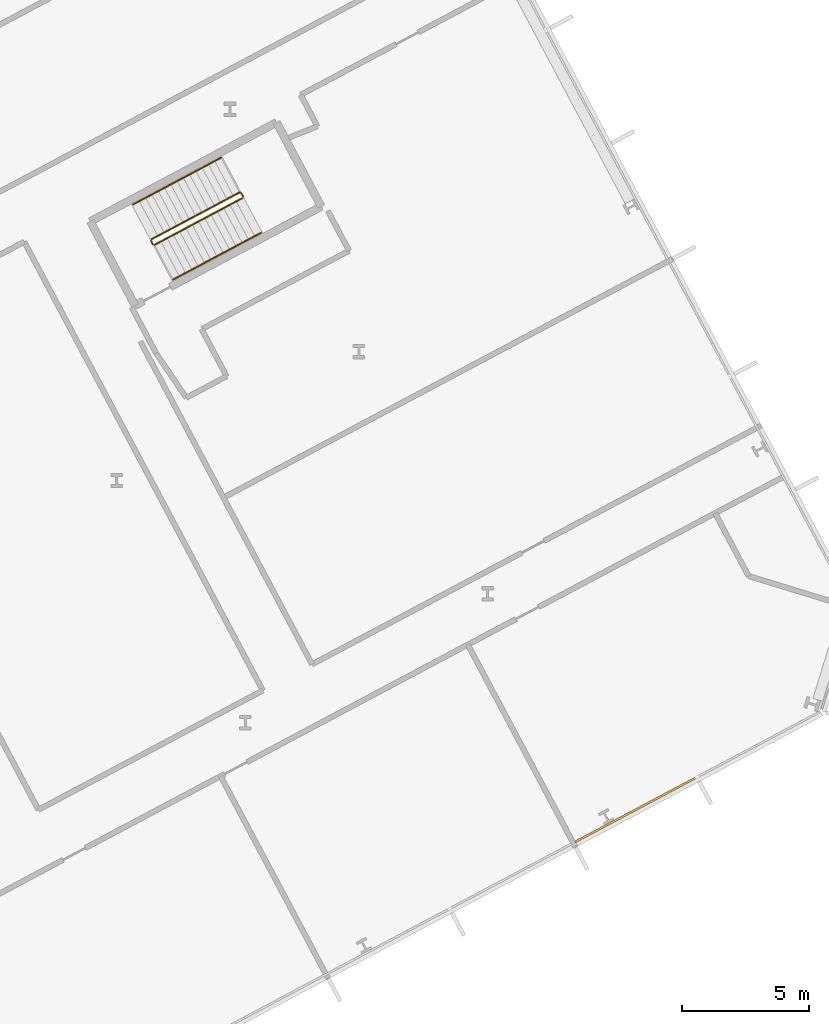
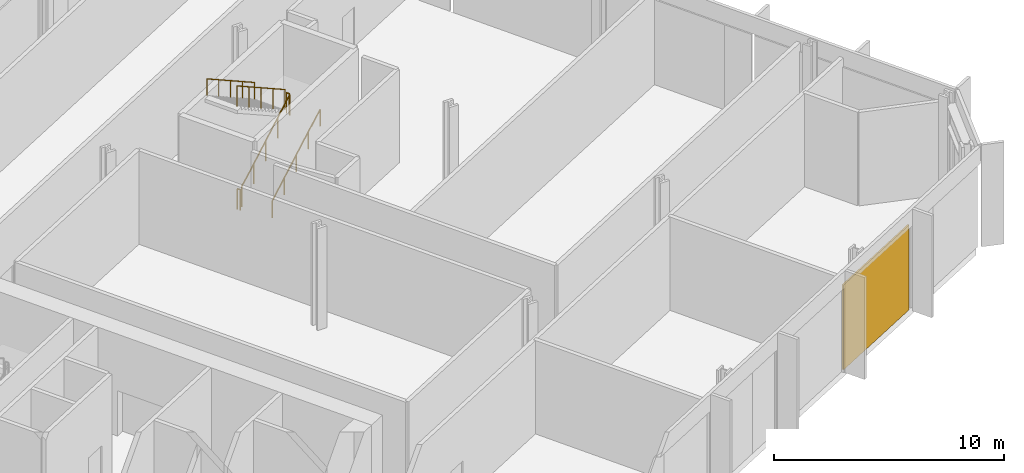
# One storey, part 30 of 32: 6 railings, 1 covering, 1 element without a shape of its own.
"""IFC4 building model written with IfcOpenShell, lengths in metres."""

from ifc_helpers import new_model, si_unit, direction, frame, origin, origin_2d, place, context, subcontext, project, spatial, polyline, rectangle, outline, extrude, material, layer, layer_set, type_object, element, aggregate, save


model = new_model("IFC4")

# Units and contexts
model_context = context("Model", 3, precision=1e-05, world=origin(), true_north=direction((0.0, 1.0)))
body_context = subcontext(model_context, "Body", "Model", "MODEL_VIEW")
ifc_project = project(units=[si_unit("LENGTHUNIT", "METRE"), si_unit("AREAUNIT", "SQUARE_METRE"), si_unit("VOLUMEUNIT", "CUBIC_METRE"), si_unit("PLANEANGLEUNIT", "RADIAN"), si_unit("MASSUNIT", "GRAM", prefix="KILO")], contexts=[model_context])

# Site, building, storey
site_placement = place(None, origin())
site = spatial("IfcSite", under=ifc_project, at=site_placement, CompositionType="ELEMENT")
building_placement = place(site_placement, origin())
building = spatial("IfcBuilding", under=site, at=building_placement, Name="Cormorant Relay Tower", CompositionType="ELEMENT")
storey_placement = place(building_placement, frame((0.0, 0.0, 39.199951171875)))
storey = spatial("IfcBuildingStorey", under=building, at=storey_placement, Name="L07", CompositionType="ELEMENT", Elevation=39.199951171875)

# Curtain wall, covering
ifc_material_1 = material(Name="Aluminium 6063-T6 anodised bronze", Category="aluminium")
ifc_layer_1 = layer(ifc_material_1, 0.235107421875)
ifc_layer_set_1 = layer_set([ifc_layer_1], Name="CW6 data hall curtain wall with mineral wool panels")
curtain_wall_type = type_object("IfcCurtainWallType", Name="CW6 data hall curtain wall with mineral wool panels", PredefinedType="NOTDEFINED", material=ifc_layer_set_1)
curtain_wall_placement = place(storey_placement, origin())
curtain_wall = element("IfcCurtainWall", 1, at=curtain_wall_placement, inside=storey, type_object=curtain_wall_type, Name="CW6 curtain wall 2", PredefinedType="NOTDEFINED")
ifc_material_2 = material(Name="Mineral wool cored anodised bronze aluminium cassette panel", Category="aluminium")
ifc_layer_2 = layer(ifc_material_2, 0.074951171875)
ifc_layer_set_2 = layer_set([ifc_layer_2], Name="CW6 mineral wool cassette panel 75")
covering_type = type_object("IfcCoveringType", Name="CW6 mineral wool cassette panel 75", PredefinedType="CLADDING", material=ifc_layer_set_2)
covering_placement = place(storey_placement, frame((63.5, 9.93701171875, 0.0), z_axis=(0.0, 0.0, 1.0), x_axis=(0.882947592859, 0.469471562786, 0.0)))
covering = element("IfcCovering", 2, at=covering_placement, type_object=covering_type, Name="CW6 panel S13", PredefinedType="CLADDING", context=body_context, shape_type="SweptSolid", body=[
    extrude(rectangle(XDim=5.36181640625, YDim=0.074951171875, at=origin_2d()), origin(), (0.0, 0.0, 1.0), 4.5),
])
aggregate(curtain_wall, [covering])

# Railings
ifc_material_3 = material(Name="Steel ASTM A572 Grade 50 (Fy 345 MPa)", Category="steel")
railing_type_1 = type_object("IfcRailingType", Name="Stair guard 1100", PredefinedType="GUARDRAIL", material=ifc_material_3)
railing_1_placement = place(storey_placement, frame((44.583740234375, 32.186279296875, 0.179931640625)))
element("IfcRailing", 3, at=railing_1_placement, inside=storey, type_object=railing_type_1, Name="L07 RB1 stair guard 1", PredefinedType="GUARDRAIL", context=body_context, shape_type="SweptSolid", body=[
    extrude(outline(polyline([(0.022216796875, 0.00927734375), (0.00927734375, 0.022216796875), (-0.00927734375, 0.022216796875), (-0.022216796875, 0.00927734375), (-0.022216796875, -0.00927734375), (-0.00927734375, -0.022216796875), (0.00927734375, -0.022216796875), (0.022216796875, -0.00927734375), (0.022216796875, 0.00927734375)])), frame((0.0, 0.0, 1.076171875), z_axis=(0.74271721126, 0.394907409077, 0.540758062681), x_axis=(-0.469469396681, 0.882948744594, 0.0)), (0.0, 0.0, 1.0), 4.66015625),
    extrude(outline(polyline([(0.019287109375, 0.008056640625), (0.008056640625, 0.019287109375), (-0.008056640625, 0.019287109375), (-0.019287109375, 0.008056640625), (-0.019287109375, -0.008056640625), (-0.008056640625, -0.019287109375), (0.008056640625, -0.019287109375), (0.019287109375, -0.008056640625), (0.019287109375, 0.008056640625)])), origin(), (0.0, 0.0, 1.0), 1.052001953125),
    extrude(outline(polyline([(0.019287109375, 0.008056640625), (0.008056640625, 0.019287109375), (-0.008056640625, 0.019287109375), (-0.019287109375, 0.008056640625), (-0.019287109375, -0.008056640625), (-0.008056640625, -0.019287109375), (0.008056640625, -0.019287109375), (0.019287109375, -0.008056640625), (0.019287109375, 0.008056640625)])), frame((0.865234375, 0.4599609375, 0.6298828125)), (0.0, 0.0, 1.0), 1.052001953125),
    extrude(outline(polyline([(0.019287109375, 0.008056640625), (0.008056640625, 0.019287109375), (-0.008056640625, 0.019287109375), (-0.019287109375, 0.008056640625), (-0.019287109375, -0.008056640625), (-0.008056640625, -0.019287109375), (0.008056640625, -0.019287109375), (0.019287109375, -0.008056640625), (0.019287109375, 0.008056640625)])), frame((1.73046875, 0.920166015625, 1.260009765625)), (0.0, 0.0, 1.0), 1.052001953125),
    extrude(outline(polyline([(0.019287109375, 0.008056640625), (0.008056640625, 0.019287109375), (-0.008056640625, 0.019287109375), (-0.019287109375, 0.008056640625), (-0.019287109375, -0.008056640625), (-0.008056640625, -0.019287109375), (0.008056640625, -0.019287109375), (0.019287109375, -0.008056640625), (0.019287109375, 0.008056640625)])), frame((2.595947265625, 1.38037109375, 1.89013671875)), (0.0, 0.0, 1.0), 1.052001953125),
    extrude(outline(polyline([(0.019287109375, 0.008056640625), (0.008056640625, 0.019287109375), (-0.008056640625, 0.019287109375), (-0.019287109375, 0.008056640625), (-0.019287109375, -0.008056640625), (-0.008056640625, -0.019287109375), (0.008056640625, -0.019287109375), (0.019287109375, -0.008056640625), (0.019287109375, 0.008056640625)])), frame((3.461181640625, 1.84033203125, 2.52001953125)), (0.0, 0.0, 1.0), 1.052001953125),
])
railing_2_placement = place(storey_placement, frame((48.065673828125, 34.09423828125, 2.699951171875)))
element("IfcRailing", 4, at=railing_2_placement, inside=storey, type_object=railing_type_1, Name="L07 RB1 stair guard 2", PredefinedType="GUARDRAIL", context=body_context, shape_type="SweptSolid", body=[
    extrude(outline(polyline([(0.022216796875, 0.00927734375), (0.00927734375, 0.022216796875), (-0.00927734375, 0.022216796875), (-0.022216796875, 0.00927734375), (-0.022216796875, -0.00927734375), (-0.00927734375, -0.022216796875), (0.00927734375, -0.022216796875), (0.022216796875, -0.00927734375), (0.022216796875, 0.00927734375)])), frame((0.0, 0.0, 1.076171875), z_axis=(-0.469828648786, 0.882757634224, 0.0), x_axis=(-0.882757634224, -0.469828648786, 0.0)), (0.0, 0.0, 1.0), 0.150146484375),
    extrude(outline(polyline([(0.019287109375, 0.008056640625), (0.008056640625, 0.019287109375), (-0.008056640625, 0.019287109375), (-0.019287109375, 0.008056640625), (-0.019287109375, -0.008056640625), (-0.008056640625, -0.019287109375), (0.008056640625, -0.019287109375), (0.019287109375, -0.008056640625), (0.019287109375, 0.008056640625)])), origin(), (0.0, 0.0, 1.0), 1.052001953125),
    extrude(outline(polyline([(0.019287109375, 0.008056640625), (0.008056640625, 0.019287109375), (-0.008056640625, 0.019287109375), (-0.019287109375, 0.008056640625), (-0.019287109375, -0.008056640625), (-0.008056640625, -0.019287109375), (0.008056640625, -0.019287109375), (0.019287109375, -0.008056640625), (0.019287109375, 0.008056640625)])), frame((-0.070556640625, 0.132568359375, 0.0)), (0.0, 0.0, 1.0), 1.052001953125),
])
railing_3_placement = place(storey_placement, frame((47.927490234375, 34.24755859375, 2.880126953125)))
element("IfcRailing", 5, at=railing_3_placement, inside=storey, type_object=railing_type_1, Name="L07 RB1 stair guard 3", PredefinedType="GUARDRAIL", context=body_context, shape_type="SweptSolid", body=[
    extrude(outline(polyline([(0.022216796875, 0.00927734375), (0.00927734375, 0.022216796875), (-0.00927734375, 0.022216796875), (-0.022216796875, 0.00927734375), (-0.022216796875, -0.00927734375), (-0.00927734375, -0.022216796875), (0.00927734375, -0.022216796875), (0.022216796875, -0.00927734375), (0.022216796875, 0.00927734375)])), frame((0.0, 0.0, 1.076171875), z_axis=(-0.74271721126, -0.394907409077, 0.540758062681), x_axis=(0.469469396681, -0.882948744594, 0.0)), (0.0, 0.0, 1.0), 4.66015625),
    extrude(outline(polyline([(0.019287109375, 0.008056640625), (0.008056640625, 0.019287109375), (-0.008056640625, 0.019287109375), (-0.019287109375, 0.008056640625), (-0.019287109375, -0.008056640625), (-0.008056640625, -0.019287109375), (0.008056640625, -0.019287109375), (0.019287109375, -0.008056640625), (0.019287109375, 0.008056640625)])), origin(), (0.0, 0.0, 1.0), 1.052001953125),
    extrude(outline(polyline([(0.019287109375, 0.008056640625), (0.008056640625, 0.019287109375), (-0.008056640625, 0.019287109375), (-0.019287109375, 0.008056640625), (-0.019287109375, -0.008056640625), (-0.008056640625, -0.019287109375), (0.008056640625, -0.019287109375), (0.019287109375, -0.008056640625), (0.019287109375, 0.008056640625)])), frame((-0.865234375, -0.4599609375, 0.6298828125)), (0.0, 0.0, 1.0), 1.052001953125),
    extrude(outline(polyline([(0.019287109375, 0.008056640625), (0.008056640625, 0.019287109375), (-0.008056640625, 0.019287109375), (-0.019287109375, 0.008056640625), (-0.019287109375, -0.008056640625), (-0.008056640625, -0.019287109375), (0.008056640625, -0.019287109375), (0.019287109375, -0.008056640625), (0.019287109375, 0.008056640625)])), frame((-1.73046875, -0.920166015625, 1.260009765625)), (0.0, 0.0, 1.0), 1.052001953125),
    extrude(outline(polyline([(0.019287109375, 0.008056640625), (0.008056640625, 0.019287109375), (-0.008056640625, 0.019287109375), (-0.019287109375, 0.008056640625), (-0.019287109375, -0.008056640625), (-0.008056640625, -0.019287109375), (0.008056640625, -0.019287109375), (0.019287109375, -0.008056640625), (0.019287109375, 0.008056640625)])), frame((-2.595947265625, -1.38037109375, 1.89013671875)), (0.0, 0.0, 1.0), 1.052001953125),
    extrude(outline(polyline([(0.019287109375, 0.008056640625), (0.008056640625, 0.019287109375), (-0.008056640625, 0.019287109375), (-0.019287109375, 0.008056640625), (-0.019287109375, -0.008056640625), (-0.008056640625, -0.019287109375), (0.008056640625, -0.019287109375), (0.019287109375, -0.008056640625), (0.019287109375, 0.008056640625)])), frame((-3.461181640625, -1.84033203125, 2.52001953125)), (0.0, 0.0, 1.0), 1.052001953125),
])
railing_4_placement = place(storey_placement, frame((44.51611328125, 32.20703125, 0.0)))
element("IfcRailing", 6, at=railing_4_placement, inside=storey, type_object=railing_type_1, Name="L07 RB1 stair guard 4", PredefinedType="GUARDRAIL", context=body_context, shape_type="SweptSolid", body=[
    extrude(outline(polyline([(0.022216796875, 0.00927734375), (0.00927734375, 0.022216796875), (-0.00927734375, 0.022216796875), (-0.022216796875, 0.00927734375), (-0.022216796875, -0.00927734375), (-0.00927734375, -0.022216796875), (0.00927734375, -0.022216796875), (0.022216796875, -0.00927734375), (0.022216796875, 0.00927734375)])), frame((0.0, 0.0, 1.076171875), z_axis=(-0.46856034887, 0.8834314911, 0.0), x_axis=(-0.8834314911, -0.46856034887, 0.0)), (0.0, 0.0, 1.0), 0.150146484375),
    extrude(outline(polyline([(0.019287109375, 0.008056640625), (0.008056640625, 0.019287109375), (-0.008056640625, 0.019287109375), (-0.019287109375, 0.008056640625), (-0.019287109375, -0.008056640625), (-0.008056640625, -0.019287109375), (0.008056640625, -0.019287109375), (0.019287109375, -0.008056640625), (0.019287109375, 0.008056640625)])), origin(), (0.0, 0.0, 1.0), 1.052001953125),
    extrude(outline(polyline([(0.019287109375, 0.008056640625), (0.008056640625, 0.019287109375), (-0.008056640625, 0.019287109375), (-0.019287109375, 0.008056640625), (-0.019287109375, -0.008056640625), (-0.008056640625, -0.019287109375), (0.008056640625, -0.019287109375), (0.019287109375, -0.008056640625), (0.019287109375, 0.008056640625)])), frame((-0.0703125, 0.132568359375, 0.0)), (0.0, 0.0, 1.0), 1.052001953125),
])
ifc_material_4 = material(Name="Steel ASTM A572 Grade 50 (Fy 345 MPa)", Category="steel")
railing_type_2 = type_object("IfcRailingType", Name="Stair handrail 900", PredefinedType="HANDRAIL", material=ifc_material_4)
railing_5_placement = place(storey_placement, frame((45.3115234375, 30.81787109375, 0.179931640625)))
element("IfcRailing", 7, at=railing_5_placement, inside=storey, type_object=railing_type_2, Name="L07 RB1 stair handrail 1", PredefinedType="HANDRAIL", context=body_context, shape_type="SweptSolid", body=[
    extrude(outline(polyline([(0.022216796875, 0.00927734375), (0.00927734375, 0.022216796875), (-0.00927734375, 0.022216796875), (-0.022216796875, 0.00927734375), (-0.022216796875, -0.00927734375), (-0.00927734375, -0.022216796875), (0.00927734375, -0.022216796875), (0.022216796875, -0.00927734375), (0.022216796875, 0.00927734375)])), frame((0.0, 0.0, 0.8759765625), z_axis=(0.74271721126, 0.394907409077, 0.540758062681), x_axis=(-0.469469396681, 0.882948744594, 0.0)), (0.0, 0.0, 1.0), 4.66015625),
    extrude(outline(polyline([(0.019287109375, 0.008056640625), (0.008056640625, 0.019287109375), (-0.008056640625, 0.019287109375), (-0.019287109375, 0.008056640625), (-0.019287109375, -0.008056640625), (-0.008056640625, -0.019287109375), (0.008056640625, -0.019287109375), (0.019287109375, -0.008056640625), (0.019287109375, 0.008056640625)])), origin(), (0.0, 0.0, 1.0), 0.851806640625),
    extrude(outline(polyline([(0.019287109375, 0.008056640625), (0.008056640625, 0.019287109375), (-0.008056640625, 0.019287109375), (-0.019287109375, 0.008056640625), (-0.019287109375, -0.008056640625), (-0.008056640625, -0.019287109375), (0.008056640625, -0.019287109375), (0.019287109375, -0.008056640625), (0.019287109375, 0.008056640625)])), frame((0.865234375, 0.4599609375, 0.6298828125)), (0.0, 0.0, 1.0), 0.851806640625),
    extrude(outline(polyline([(0.019287109375, 0.008056640625), (0.008056640625, 0.019287109375), (-0.008056640625, 0.019287109375), (-0.019287109375, 0.008056640625), (-0.019287109375, -0.008056640625), (-0.008056640625, -0.019287109375), (0.008056640625, -0.019287109375), (0.019287109375, -0.008056640625), (0.019287109375, 0.008056640625)])), frame((1.73046875, 0.920166015625, 1.260009765625)), (0.0, 0.0, 1.0), 0.851806640625),
    extrude(outline(polyline([(0.019287109375, 0.008056640625), (0.008056640625, 0.019287109375), (-0.008056640625, 0.019287109375), (-0.019287109375, 0.008056640625), (-0.019287109375, -0.008056640625), (-0.008056640625, -0.019287109375), (0.008056640625, -0.019287109375), (0.019287109375, -0.008056640625), (0.019287109375, 0.008056640625)])), frame((2.595947265625, 1.38037109375, 1.89013671875)), (0.0, 0.0, 1.0), 0.851806640625),
    extrude(outline(polyline([(0.019287109375, 0.008056640625), (0.008056640625, 0.019287109375), (-0.008056640625, 0.019287109375), (-0.019287109375, 0.008056640625), (-0.019287109375, -0.008056640625), (-0.008056640625, -0.019287109375), (0.008056640625, -0.019287109375), (0.019287109375, -0.008056640625), (0.019287109375, 0.008056640625)])), frame((3.461181640625, 1.84033203125, 2.52001953125)), (0.0, 0.0, 1.0), 0.851806640625),
])
railing_6_placement = place(storey_placement, frame((47.199951171875, 35.615966796875, 2.880126953125)))
element("IfcRailing", 8, at=railing_6_placement, inside=storey, type_object=railing_type_2, Name="L07 RB1 stair handrail 2", PredefinedType="HANDRAIL", context=body_context, shape_type="SweptSolid", body=[
    extrude(outline(polyline([(0.022216796875, 0.00927734375), (0.00927734375, 0.022216796875), (-0.00927734375, 0.022216796875), (-0.022216796875, 0.00927734375), (-0.022216796875, -0.00927734375), (-0.00927734375, -0.022216796875), (0.00927734375, -0.022216796875), (0.022216796875, -0.00927734375), (0.022216796875, 0.00927734375)])), frame((0.0, 0.0, 0.8759765625), z_axis=(-0.74271721126, -0.394907409077, 0.540758062681), x_axis=(0.469469396681, -0.882948744594, 0.0)), (0.0, 0.0, 1.0), 4.66015625),
    extrude(outline(polyline([(0.019287109375, 0.008056640625), (0.008056640625, 0.019287109375), (-0.008056640625, 0.019287109375), (-0.019287109375, 0.008056640625), (-0.019287109375, -0.008056640625), (-0.008056640625, -0.019287109375), (0.008056640625, -0.019287109375), (0.019287109375, -0.008056640625), (0.019287109375, 0.008056640625)])), origin(), (0.0, 0.0, 1.0), 0.851806640625),
    extrude(outline(polyline([(0.019287109375, 0.008056640625), (0.008056640625, 0.019287109375), (-0.008056640625, 0.019287109375), (-0.019287109375, 0.008056640625), (-0.019287109375, -0.008056640625), (-0.008056640625, -0.019287109375), (0.008056640625, -0.019287109375), (0.019287109375, -0.008056640625), (0.019287109375, 0.008056640625)])), frame((-0.865234375, -0.4599609375, 0.6298828125)), (0.0, 0.0, 1.0), 0.851806640625),
    extrude(outline(polyline([(0.019287109375, 0.008056640625), (0.008056640625, 0.019287109375), (-0.008056640625, 0.019287109375), (-0.019287109375, 0.008056640625), (-0.019287109375, -0.008056640625), (-0.008056640625, -0.019287109375), (0.008056640625, -0.019287109375), (0.019287109375, -0.008056640625), (0.019287109375, 0.008056640625)])), frame((-1.73046875, -0.920166015625, 1.260009765625)), (0.0, 0.0, 1.0), 0.851806640625),
    extrude(outline(polyline([(0.019287109375, 0.008056640625), (0.008056640625, 0.019287109375), (-0.008056640625, 0.019287109375), (-0.019287109375, 0.008056640625), (-0.019287109375, -0.008056640625), (-0.008056640625, -0.019287109375), (0.008056640625, -0.019287109375), (0.019287109375, -0.008056640625), (0.019287109375, 0.008056640625)])), frame((-2.595947265625, -1.38037109375, 1.89013671875)), (0.0, 0.0, 1.0), 0.851806640625),
    extrude(outline(polyline([(0.019287109375, 0.008056640625), (0.008056640625, 0.019287109375), (-0.008056640625, 0.019287109375), (-0.019287109375, 0.008056640625), (-0.019287109375, -0.008056640625), (-0.008056640625, -0.019287109375), (0.008056640625, -0.019287109375), (0.019287109375, -0.008056640625), (0.019287109375, 0.008056640625)])), frame((-3.461181640625, -1.84033203125, 2.52001953125)), (0.0, 0.0, 1.0), 0.851806640625),
])

save(model, "model.ifc")
